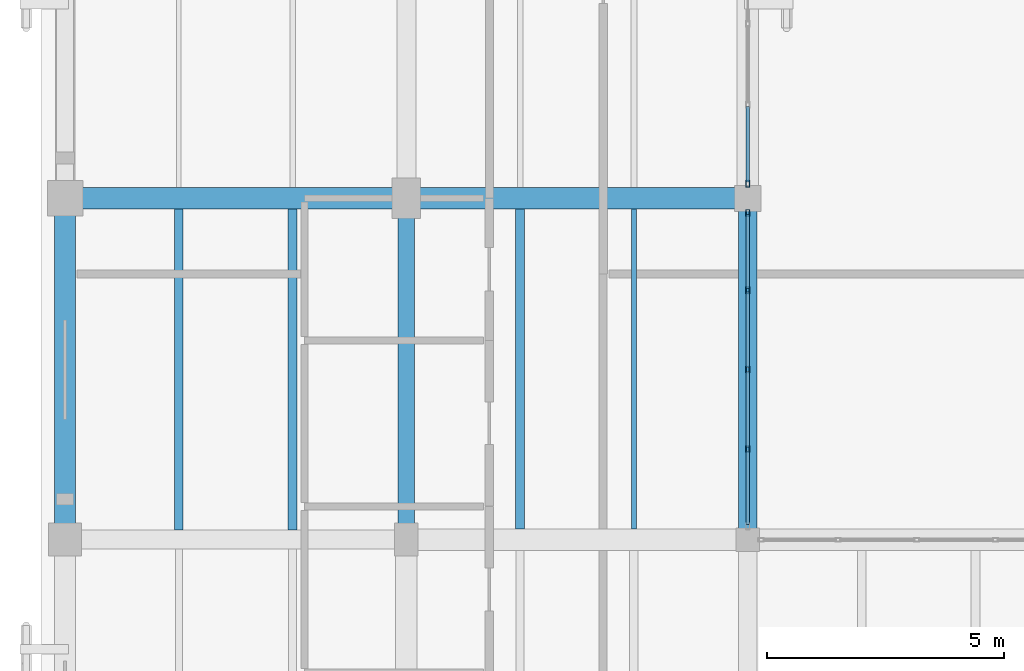
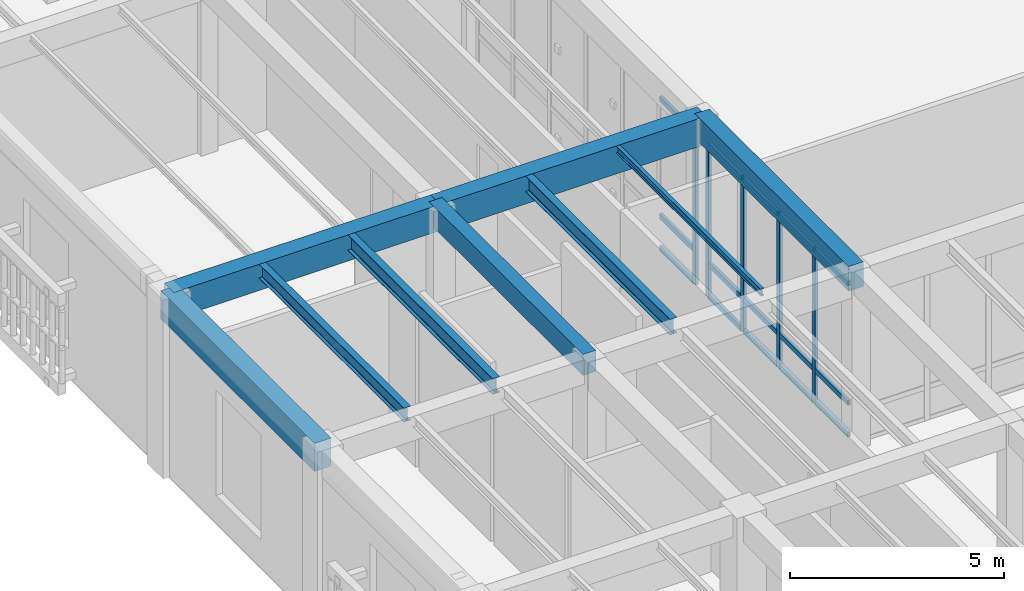
# One storey, part 26 of 169: 20 members, 9 beams, 2 elements without a shape of their own.
"""IFC4 building model written with IfcOpenShell, lengths in metres."""

from ifc_helpers import new_model, si_unit, direction, frame, origin, origin_2d, place, context, subcontext, project, spatial, rectangle, hollow_rectangle, i_section, extrude, material, layer, layer_set, material_profile, profile_set, type_object, element, aggregate, save


model = new_model("IFC4")

# Units and contexts
model_context = context("Model", 3, precision=1e-05, world=origin(), true_north=direction((0.0, 1.0)))
body_context = subcontext(model_context, "Body", "Model", "MODEL_VIEW")
ifc_project = project(units=[si_unit("LENGTHUNIT", "METRE"), si_unit("AREAUNIT", "SQUARE_METRE"), si_unit("VOLUMEUNIT", "CUBIC_METRE"), si_unit("PLANEANGLEUNIT", "RADIAN"), si_unit("MASSUNIT", "GRAM", prefix="KILO")], contexts=[model_context])

# Site, building, storey
site_placement = place(None, origin())
site = spatial("IfcSite", under=ifc_project, at=site_placement, CompositionType="ELEMENT")
building_placement = place(site_placement, origin())
building = spatial("IfcBuilding", under=site, at=building_placement, Name="Mazaris Harbour Polytechnic", CompositionType="ELEMENT")
storey_placement = place(building_placement, origin())
storey = spatial("IfcBuildingStorey", under=building, at=storey_placement, Name="L00", CompositionType="ELEMENT", Elevation=0.0)

# Curtain wall, members
ifc_material_1 = material(Name="Anodised Bronze Aluminium and Low-E Glass", Category="aluminium")
ifc_layer = layer(ifc_material_1, 0.159912109375, Name="Anodised Bronze Aluminium and Low-E Glass")
ifc_layer_set = layer_set([ifc_layer], Name="Anodised Bronze Aluminium and Low-E Glass")
curtain_wall_type = type_object("IfcCurtainWallType", Name="Cloister Court Curtain Wall", PredefinedType="NOTDEFINED", material=ifc_layer_set)
curtain_wall_1_placement = place(storey_placement, origin())
curtain_wall_1 = element("IfcCurtainWall", 1, at=curtain_wall_1_placement, inside=storey, type_object=curtain_wall_type, Name="V4 L00 Curtain Wall 103", PredefinedType="NOTDEFINED")
ifc_material_2 = material(Name="Anodised Bronze Steel S355", Category="steel")
ifc_material_profile_1 = material_profile(ifc_material_2, hollow_rectangle(XDim=0.080078125, YDim=0.139892578125, WallThickness=0.00634765625, at=origin_2d()), Name="RHS 80x140x6.3")
ifc_profile_set_1 = profile_set([ifc_material_profile_1], Name="Anodised Bronze Steel S355")
member_type_1 = type_object("IfcMemberType", Name="Curtain Mullion RHS80x140", PredefinedType="MULLION", material=ifc_profile_set_1)
member_1_placement = place(storey_placement, frame((14.39990234375, 37.914794921875, 0.0), z_axis=(0.0, 0.0, 1.0), x_axis=(-1.0, 0.0, 0.0)))
member_1 = element("IfcMember", 2, at=member_1_placement, type_object=member_type_1, Name="CW-02 mullion 2", PredefinedType="MULLION", context=body_context, shape_type="SweptSolid", body=[
    extrude(hollow_rectangle(XDim=0.080078125, YDim=0.139892578125, WallThickness=0.00634765625, at=origin_2d()), origin(), (0.0, 0.0, 1.0), 4.389892578125),
])
member_2_placement = place(storey_placement, frame((14.39990234375, 39.58740234375, 0.0), z_axis=(0.0, 0.0, 1.0), x_axis=(-1.0, 0.0, 0.0)))
member_2 = element("IfcMember", 3, at=member_2_placement, type_object=member_type_1, Name="CW-02 mullion 3", PredefinedType="MULLION", context=body_context, shape_type="SweptSolid", body=[
    extrude(hollow_rectangle(XDim=0.080078125, YDim=0.139892578125, WallThickness=0.00634765625, at=origin_2d()), origin(), (0.0, 0.0, 1.0), 4.389892578125),
])
member_3_placement = place(storey_placement, frame((14.39990234375, 41.26025390625, 0.0), z_axis=(0.0, 0.0, 1.0), x_axis=(-1.0, 0.0, 0.0)))
member_3 = element("IfcMember", 4, at=member_3_placement, type_object=member_type_1, Name="CW-02 mullion 4", PredefinedType="MULLION", context=body_context, shape_type="SweptSolid", body=[
    extrude(hollow_rectangle(XDim=0.080078125, YDim=0.139892578125, WallThickness=0.00634765625, at=origin_2d()), origin(), (0.0, 0.0, 1.0), 4.389892578125),
])
member_4_placement = place(storey_placement, frame((14.39990234375, 42.89306640625, 0.0), z_axis=(0.0, 0.0, 1.0), x_axis=(-1.0, 0.0, 0.0)))
member_4 = element("IfcMember", 5, at=member_4_placement, type_object=member_type_1, Name="CW-02 mullion 5", PredefinedType="MULLION", context=body_context, shape_type="SweptSolid", body=[
    extrude(hollow_rectangle(XDim=0.080078125, YDim=0.139892578125, WallThickness=0.00634765625, at=origin_2d()), origin(), (0.0, 0.0, 1.0), 4.389892578125),
])

# Curtain wall, member
curtain_wall_2_placement = place(storey_placement, origin())
curtain_wall_2 = element("IfcCurtainWall", 6, at=curtain_wall_2_placement, inside=storey, type_object=curtain_wall_type, Name="V4 L00 Curtain Wall 104", PredefinedType="NOTDEFINED")
member_5_placement = place(storey_placement, frame((14.39990234375, 43.507080078125, 0.0), z_axis=(0.0, 0.0, 1.0), x_axis=(-1.0, 0.0, 0.0)))
member_5 = element("IfcMember", 7, at=member_5_placement, type_object=member_type_1, Name="CW-02 mullion 1", PredefinedType="MULLION", context=body_context, shape_type="SweptSolid", body=[
    extrude(hollow_rectangle(XDim=0.080078125, YDim=0.139892578125, WallThickness=0.00634765625, at=origin_2d()), origin(), (0.0, 0.0, 1.0), 4.340087890625),
])

# Member
ifc_material_3 = material(Name="Anodised Bronze Steel S355", Category="steel")
ifc_material_profile_2 = material_profile(ifc_material_3, hollow_rectangle(XDim=0.080078125, YDim=0.139892578125, WallThickness=0.00634765625, at=origin_2d()), Name="RHS 80x140x6.3")
ifc_profile_set_2 = profile_set([ifc_material_profile_2], Name="Anodised Bronze Steel S355")
member_type_2 = type_object("IfcMemberType", Name="Curtain Transom RHS80x140", PredefinedType="USERDEFINED", material=ifc_profile_set_2)
member_6_placement = place(storey_placement, frame((14.39990234375, 36.322021484375, 0.0400390625), z_axis=(0.0, 1.0, 0.0), x_axis=(-1.0, 0.0, 0.0)))
member_6 = element("IfcMember", 8, at=member_6_placement, type_object=member_type_2, Name="CW-02 transom 1.1", ObjectType="TRANSOM", PredefinedType="USERDEFINED", context=body_context, shape_type="SweptSolid", body=[
    extrude(hollow_rectangle(XDim=0.080078125, YDim=0.139892578125, WallThickness=0.00634765625, at=origin_2d()), origin(), (0.0, 0.0, 1.0), 1.552734375),
])

member_7_placement = place(storey_placement, frame((14.39990234375, 36.322021484375, 0.949951171875), z_axis=(0.0, 1.0, 0.0), x_axis=(-1.0, 0.0, 0.0)))
member_7 = element("IfcMember", 9, at=member_7_placement, type_object=member_type_2, Name="CW-02 transom 1.2", ObjectType="TRANSOM", PredefinedType="USERDEFINED", context=body_context, shape_type="SweptSolid", body=[
    extrude(hollow_rectangle(XDim=0.080078125, YDim=0.139892578125, WallThickness=0.00634765625, at=origin_2d()), origin(), (0.0, 0.0, 1.0), 1.552734375),
])

member_8_placement = place(storey_placement, frame((14.39990234375, 36.322021484375, 4.35009765625), z_axis=(0.0, 1.0, 0.0), x_axis=(-1.0, 0.0, 0.0)))
member_8 = element("IfcMember", 10, at=member_8_placement, type_object=member_type_2, Name="CW-02 transom 1.3", ObjectType="TRANSOM", PredefinedType="USERDEFINED", context=body_context, shape_type="SweptSolid", body=[
    extrude(hollow_rectangle(XDim=0.080078125, YDim=0.139892578125, WallThickness=0.00634765625, at=origin_2d()), origin(), (0.0, 0.0, 1.0), 1.552734375),
])

member_9_placement = place(storey_placement, frame((14.39990234375, 37.954833984375, 0.0400390625), z_axis=(0.0, 1.0, 0.0), x_axis=(-1.0, 0.0, 0.0)))
member_9 = element("IfcMember", 11, at=member_9_placement, type_object=member_type_2, Name="CW-02 transom 2.1", ObjectType="TRANSOM", PredefinedType="USERDEFINED", context=body_context, shape_type="SweptSolid", body=[
    extrude(hollow_rectangle(XDim=0.080078125, YDim=0.139892578125, WallThickness=0.00634765625, at=origin_2d()), origin(), (0.0, 0.0, 1.0), 1.5927734375),
])

member_10_placement = place(storey_placement, frame((14.39990234375, 37.954833984375, 0.949951171875), z_axis=(0.0, 1.0, 0.0), x_axis=(-1.0, 0.0, 0.0)))
member_10 = element("IfcMember", 12, at=member_10_placement, type_object=member_type_2, Name="CW-02 transom 2.2", ObjectType="TRANSOM", PredefinedType="USERDEFINED", context=body_context, shape_type="SweptSolid", body=[
    extrude(hollow_rectangle(XDim=0.080078125, YDim=0.139892578125, WallThickness=0.00634765625, at=origin_2d()), origin(), (0.0, 0.0, 1.0), 1.5927734375),
])

member_11_placement = place(storey_placement, frame((14.39990234375, 37.954833984375, 4.35009765625), z_axis=(0.0, 1.0, 0.0), x_axis=(-1.0, 0.0, 0.0)))
member_11 = element("IfcMember", 13, at=member_11_placement, type_object=member_type_2, Name="CW-02 transom 2.3", ObjectType="TRANSOM", PredefinedType="USERDEFINED", context=body_context, shape_type="SweptSolid", body=[
    extrude(hollow_rectangle(XDim=0.080078125, YDim=0.139892578125, WallThickness=0.00634765625, at=origin_2d()), origin(), (0.0, 0.0, 1.0), 1.5927734375),
])

member_12_placement = place(storey_placement, frame((14.39990234375, 39.62744140625, 0.0400390625), z_axis=(0.0, 1.0, 0.0), x_axis=(-1.0, 0.0, 0.0)))
member_12 = element("IfcMember", 14, at=member_12_placement, type_object=member_type_2, Name="CW-02 transom 3.1", ObjectType="TRANSOM", PredefinedType="USERDEFINED", context=body_context, shape_type="SweptSolid", body=[
    extrude(hollow_rectangle(XDim=0.080078125, YDim=0.139892578125, WallThickness=0.00634765625, at=origin_2d()), origin(), (0.0, 0.0, 1.0), 1.5927734375),
])

member_13_placement = place(storey_placement, frame((14.39990234375, 39.62744140625, 0.949951171875), z_axis=(0.0, 1.0, 0.0), x_axis=(-1.0, 0.0, 0.0)))
member_13 = element("IfcMember", 15, at=member_13_placement, type_object=member_type_2, Name="CW-02 transom 3.2", ObjectType="TRANSOM", PredefinedType="USERDEFINED", context=body_context, shape_type="SweptSolid", body=[
    extrude(hollow_rectangle(XDim=0.080078125, YDim=0.139892578125, WallThickness=0.00634765625, at=origin_2d()), origin(), (0.0, 0.0, 1.0), 1.5927734375),
])

member_14_placement = place(storey_placement, frame((14.39990234375, 39.62744140625, 4.35009765625), z_axis=(0.0, 1.0, 0.0), x_axis=(-1.0, 0.0, 0.0)))
member_14 = element("IfcMember", 16, at=member_14_placement, type_object=member_type_2, Name="CW-02 transom 3.3", ObjectType="TRANSOM", PredefinedType="USERDEFINED", context=body_context, shape_type="SweptSolid", body=[
    extrude(hollow_rectangle(XDim=0.080078125, YDim=0.139892578125, WallThickness=0.00634765625, at=origin_2d()), origin(), (0.0, 0.0, 1.0), 1.5927734375),
])

member_15_placement = place(storey_placement, frame((14.39990234375, 41.30029296875, 0.0400390625), z_axis=(0.0, 1.0, 0.0), x_axis=(-1.0, 0.0, 0.0)))
member_15 = element("IfcMember", 17, at=member_15_placement, type_object=member_type_2, Name="CW-02 transom 4.1", ObjectType="TRANSOM", PredefinedType="USERDEFINED", context=body_context, shape_type="SweptSolid", body=[
    extrude(hollow_rectangle(XDim=0.080078125, YDim=0.139892578125, WallThickness=0.00634765625, at=origin_2d()), origin(), (0.0, 0.0, 1.0), 1.552734375),
])

member_16_placement = place(storey_placement, frame((14.39990234375, 41.30029296875, 0.949951171875), z_axis=(0.0, 1.0, 0.0), x_axis=(-1.0, 0.0, 0.0)))
member_16 = element("IfcMember", 18, at=member_16_placement, type_object=member_type_2, Name="CW-02 transom 4.2", ObjectType="TRANSOM", PredefinedType="USERDEFINED", context=body_context, shape_type="SweptSolid", body=[
    extrude(hollow_rectangle(XDim=0.080078125, YDim=0.139892578125, WallThickness=0.00634765625, at=origin_2d()), origin(), (0.0, 0.0, 1.0), 1.552734375),
])

member_17_placement = place(storey_placement, frame((14.39990234375, 41.30029296875, 4.35009765625), z_axis=(0.0, 1.0, 0.0), x_axis=(-1.0, 0.0, 0.0)))
member_17 = element("IfcMember", 19, at=member_17_placement, type_object=member_type_2, Name="CW-02 transom 4.3", ObjectType="TRANSOM", PredefinedType="USERDEFINED", context=body_context, shape_type="SweptSolid", body=[
    extrude(hollow_rectangle(XDim=0.080078125, YDim=0.139892578125, WallThickness=0.00634765625, at=origin_2d()), origin(), (0.0, 0.0, 1.0), 1.552734375),
])

aggregate(curtain_wall_1, [member_1, member_2, member_3, member_4, member_6, member_7, member_8, member_9, member_10, member_11, member_12, member_13, member_14, member_15, member_16, member_17])

member_18_placement = place(storey_placement, frame((14.39990234375, 43.547119140625, 0.0400390625), z_axis=(0.0, 1.0, 0.0), x_axis=(-1.0, 0.0, 0.0)))
member_18 = element("IfcMember", 20, at=member_18_placement, type_object=member_type_2, Name="CW-02 transom 1.1", ObjectType="TRANSOM", PredefinedType="USERDEFINED", context=body_context, shape_type="SweptSolid", body=[
    extrude(hollow_rectangle(XDim=0.080078125, YDim=0.139892578125, WallThickness=0.00634765625, at=origin_2d()), origin(), (0.0, 0.0, 1.0), 1.586669921875),
])

member_19_placement = place(storey_placement, frame((14.39990234375, 43.547119140625, 0.949951171875), z_axis=(0.0, 1.0, 0.0), x_axis=(-1.0, 0.0, 0.0)))
member_19 = element("IfcMember", 21, at=member_19_placement, type_object=member_type_2, Name="CW-02 transom 1.2", ObjectType="TRANSOM", PredefinedType="USERDEFINED", context=body_context, shape_type="SweptSolid", body=[
    extrude(hollow_rectangle(XDim=0.080078125, YDim=0.139892578125, WallThickness=0.00634765625, at=origin_2d()), origin(), (0.0, 0.0, 1.0), 1.586669921875),
])

member_20_placement = place(storey_placement, frame((14.39990234375, 43.547119140625, 4.300048828125), z_axis=(0.0, 1.0, 0.0), x_axis=(-1.0, 0.0, 0.0)))
member_20 = element("IfcMember", 22, at=member_20_placement, type_object=member_type_2, Name="CW-02 transom 1.3", ObjectType="TRANSOM", PredefinedType="USERDEFINED", context=body_context, shape_type="SweptSolid", body=[
    extrude(hollow_rectangle(XDim=0.080078125, YDim=0.139892578125, WallThickness=0.00634765625, at=origin_2d()), origin(), (0.0, 0.0, 1.0), 1.586669921875),
])

aggregate(curtain_wall_2, [member_5, member_18, member_19, member_20])

# Beams
ifc_material_4 = material(Name="Concrete C35/45", Category="concrete")
ifc_material_profile_3 = material_profile(ifc_material_4, rectangle(XDim=0.35009765625, YDim=0.60009765625, at=origin_2d()), Name="RECT350x600")
ifc_profile_set_3 = profile_set([ifc_material_profile_3], Name="Concrete C35/45")
beam_type_1 = type_object("IfcBeamType", Name="RC Girder 350x600", PredefinedType="BEAM", material=ifc_profile_set_3)
beam_1_placement = place(storey_placement, frame((7.199951171875, 36.0, 4.800048828125), z_axis=(0.0, 1.0, 0.0), x_axis=(-1.0, 0.0, 0.0)))
element("IfcBeam", 23, at=beam_1_placement, inside=storey, type_object=beam_type_1, Name="V4 L00 Tie Girder 1440", PredefinedType="BEAM", context=body_context, shape_type="SweptSolid", body=[
    extrude(rectangle(XDim=0.35009765625, YDim=0.60009765625, at=origin_2d()), origin(), (0.0, 0.0, 1.0), 7.199951171875),
])
ifc_material_5 = material(Name="Concrete C35/45", Category="concrete")
ifc_material_profile_4 = material_profile(ifc_material_5, rectangle(XDim=0.39990234375, YDim=0.699951171875, at=origin_2d()), Name="RECT400x700")
ifc_profile_set_4 = profile_set([ifc_material_profile_4], Name="Concrete C35/45")
beam_type_2 = type_object("IfcBeamType", Name="RC Girder 400x700", PredefinedType="BEAM", material=ifc_profile_set_4)
beam_2_placement = place(storey_placement, frame((14.39990234375, 36.0, 4.75), z_axis=(0.0, 1.0, 0.0), x_axis=(-1.0, 0.0, 0.0)))
element("IfcBeam", 24, at=beam_2_placement, inside=storey, type_object=beam_type_2, Name="V4 L00 Tie Girder 1452", PredefinedType="BEAM", context=body_context, shape_type="SweptSolid", body=[
    extrude(rectangle(XDim=0.39990234375, YDim=0.699951171875, at=origin_2d()), origin(), (0.0, 0.0, 1.0), 7.199951171875),
])
ifc_material_6 = material(Name="Concrete C40/50", Category="concrete")
ifc_material_profile_5 = material_profile(ifc_material_6, rectangle(XDim=0.449951171875, YDim=0.75, at=origin_2d()), Name="RECT450x750")
ifc_profile_set_5 = profile_set([ifc_material_profile_5], Name="Concrete C40/50")
beam_type_3 = type_object("IfcBeamType", Name="RC Girder 450x750", PredefinedType="BEAM", material=ifc_profile_set_5)
beam_3_placement = place(storey_placement, frame((0.0, 43.199951171875, 4.72509765625), z_axis=(1.0, 0.0, 0.0), x_axis=(0.0, 1.0, 0.0)))
element("IfcBeam", 25, at=beam_3_placement, inside=storey, type_object=beam_type_3, Name="V4 L00 Girder 1383", PredefinedType="BEAM", context=body_context, shape_type="SweptSolid", body=[
    extrude(rectangle(XDim=0.449951171875, YDim=0.75, at=origin_2d()), origin(), (0.0, 0.0, 1.0), 7.199951171875),
])
ifc_material_7 = material(Name="Concrete C40/50", Category="concrete")
ifc_material_profile_6 = material_profile(ifc_material_7, rectangle(XDim=0.449951171875, YDim=0.800048828125, at=origin_2d()), Name="RECT450x800")
ifc_profile_set_6 = profile_set([ifc_material_profile_6], Name="Concrete C40/50")
beam_type_4 = type_object("IfcBeamType", Name="RC Girder 450x800", PredefinedType="BEAM", material=ifc_profile_set_6)
beam_4_placement = place(storey_placement, frame((7.199951171875, 43.199951171875, 4.699951171875), z_axis=(1.0, 0.0, 0.0), x_axis=(0.0, 1.0, 0.0)))
element("IfcBeam", 26, at=beam_4_placement, inside=storey, type_object=beam_type_4, Name="V4 L00 Girder 1384", PredefinedType="BEAM", context=body_context, shape_type="SweptSolid", body=[
    extrude(rectangle(XDim=0.449951171875, YDim=0.800048828125, at=origin_2d()), origin(), (0.0, 0.0, 1.0), 7.199951171875),
])
ifc_material_8 = material(Name="Concrete C40/50", Category="concrete")
ifc_material_profile_7 = material_profile(ifc_material_8, rectangle(XDim=0.449951171875, YDim=0.800048828125, at=origin_2d()), Name="RECT450x800")
ifc_profile_set_7 = profile_set([ifc_material_profile_7], Name="Concrete C40/50")
beam_type_5 = type_object("IfcBeamType", Name="RC Girder 450x800 Exterior", PredefinedType="BEAM", material=ifc_profile_set_7)
beam_5_placement = place(storey_placement, frame((0.0, 36.0, 4.699951171875), z_axis=(0.0, 1.0, 0.0), x_axis=(-1.0, 0.0, 0.0)))
element("IfcBeam", 27, at=beam_5_placement, inside=storey, type_object=beam_type_5, Name="V4 L00 Tie Girder 1429", PredefinedType="BEAM", context=body_context, shape_type="SweptSolid", body=[
    extrude(rectangle(XDim=0.449951171875, YDim=0.800048828125, at=origin_2d()), origin(), (0.0, 0.0, 1.0), 7.199951171875),
])
ifc_material_9 = material(Name="Steel S355", Category="steel")
ifc_material_profile_8 = material_profile(ifc_material_9, i_section(OverallWidth=0.10009765625, OverallDepth=0.199951171875, WebThickness=0.005615234375, FlangeThickness=0.008544921875, FilletRadius=0.011962890625, at=origin_2d()), Name="IPE 200")
ifc_profile_set_8 = profile_set([ifc_material_profile_8], Name="Steel S355")
beam_type_6 = type_object("IfcBeamType", Name="Steel Joist IPE200", PredefinedType="JOIST", material=ifc_profile_set_8)
beam_6_placement = place(storey_placement, frame((12.0, 36.22509765625, 5.0), z_axis=(0.0, 1.0, 0.0), x_axis=(-1.0, 0.0, 0.0)))
element("IfcBeam", 28, at=beam_6_placement, inside=storey, type_object=beam_type_6, Name="V4 L00 Floor Joist 1533", PredefinedType="JOIST", context=body_context, shape_type="SweptSolid", body=[
    extrude(i_section(OverallWidth=0.10009765625, OverallDepth=0.199951171875, WebThickness=0.005615234375, FlangeThickness=0.008544921875, FilletRadius=0.011962890625, at=origin_2d()), origin(), (0.0, 0.0, 1.0), 6.75),
])
ifc_material_10 = material(Name="Steel S355", Category="steel")
ifc_material_profile_9 = material_profile(ifc_material_10, i_section(OverallWidth=0.179931640625, OverallDepth=0.39990234375, WebThickness=0.008544921875, FlangeThickness=0.013427734375, FilletRadius=0.02099609375, at=origin_2d()), Name="IPE 400")
ifc_profile_set_9 = profile_set([ifc_material_profile_9], Name="Steel S355")
beam_type_7 = type_object("IfcBeamType", Name="Steel Joist IPE400", PredefinedType="JOIST", material=ifc_profile_set_9)
beam_7_placement = place(storey_placement, frame((2.39990234375, 36.199951171875, 4.89990234375), z_axis=(0.0, 1.0, 0.0), x_axis=(-1.0, 0.0, 0.0)))
element("IfcBeam", 29, at=beam_7_placement, inside=storey, type_object=beam_type_7, Name="V4 L00 Floor Joist 1510", PredefinedType="JOIST", context=body_context, shape_type="SweptSolid", body=[
    extrude(i_section(OverallWidth=0.179931640625, OverallDepth=0.39990234375, WebThickness=0.008544921875, FlangeThickness=0.013427734375, FilletRadius=0.02099609375, at=origin_2d()), origin(), (0.0, 0.0, 1.0), 6.775146484375),
])
ifc_material_11 = material(Name="Steel S355", Category="steel")
ifc_material_profile_10 = material_profile(ifc_material_11, i_section(OverallWidth=0.18994140625, OverallDepth=0.449951171875, WebThickness=0.009521484375, FlangeThickness=0.0146484375, FilletRadius=0.02099609375, at=origin_2d()), Name="IPE 450")
ifc_profile_set_10 = profile_set([ifc_material_profile_10], Name="Steel S355")
beam_type_8 = type_object("IfcBeamType", Name="Steel Joist IPE450", PredefinedType="JOIST", material=ifc_profile_set_10)
beam_8_placement = place(storey_placement, frame((4.800048828125, 36.199951171875, 4.875), z_axis=(0.0, 1.0, 0.0), x_axis=(-1.0, 0.0, 0.0)))
element("IfcBeam", 30, at=beam_8_placement, inside=storey, type_object=beam_type_8, Name="V4 L00 Floor Joist 1511", PredefinedType="JOIST", context=body_context, shape_type="SweptSolid", body=[
    extrude(i_section(OverallWidth=0.18994140625, OverallDepth=0.449951171875, WebThickness=0.009521484375, FlangeThickness=0.0146484375, FilletRadius=0.02099609375, at=origin_2d()), origin(), (0.0, 0.0, 1.0), 6.775146484375),
])
beam_9_placement = place(storey_placement, frame((9.60009765625, 36.22509765625, 4.875), z_axis=(0.0, 1.0, 0.0), x_axis=(-1.0, 0.0, 0.0)))
element("IfcBeam", 31, at=beam_9_placement, inside=storey, type_object=beam_type_8, Name="V4 L00 Floor Joist 1532", PredefinedType="JOIST", context=body_context, shape_type="SweptSolid", body=[
    extrude(i_section(OverallWidth=0.18994140625, OverallDepth=0.449951171875, WebThickness=0.009521484375, FlangeThickness=0.0146484375, FilletRadius=0.02099609375, at=origin_2d()), origin(), (0.0, 0.0, 1.0), 6.75),
])

save(model, "model.ifc")
